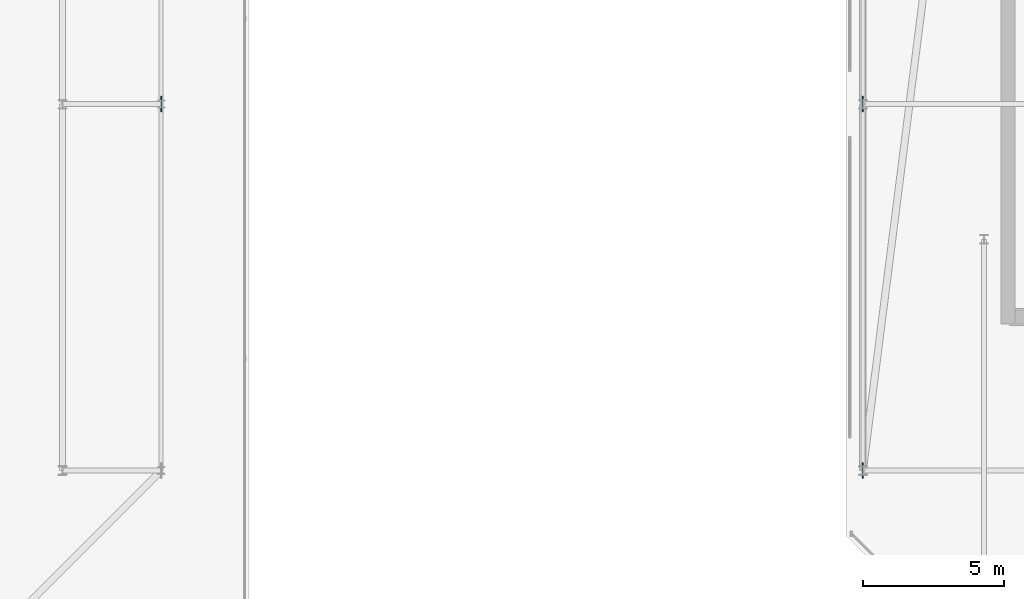
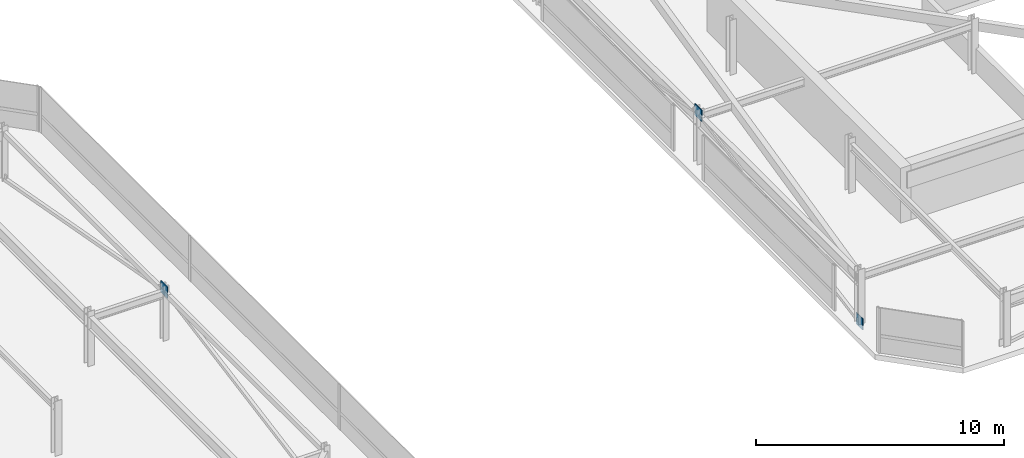
# One storey, part 41 of 44: 3 plates.
"""IFC4 building model written with IfcOpenShell, lengths in metres."""

from ifc_helpers import new_model, si_unit, direction, frame, origin, origin_2d, place, context, subcontext, project, spatial, rectangle, extrude, material, layer, layer_set, type_object, element, save


model = new_model("IFC4")

# Units and contexts
model_context = context("Model", 3, precision=1e-05, world=origin(), true_north=direction((0.0, 1.0)))
body_context = subcontext(model_context, "Body", "Model", "MODEL_VIEW")
ifc_project = project(units=[si_unit("LENGTHUNIT", "METRE"), si_unit("AREAUNIT", "SQUARE_METRE"), si_unit("VOLUMEUNIT", "CUBIC_METRE"), si_unit("PLANEANGLEUNIT", "RADIAN"), si_unit("MASSUNIT", "GRAM", prefix="KILO")], contexts=[model_context])

# Site, building, storey
site_placement = place(None, origin())
site = spatial("IfcSite", under=ifc_project, at=site_placement, CompositionType="ELEMENT")
building_placement = place(site_placement, origin())
building = spatial("IfcBuilding", under=site, at=building_placement, Name="Thornwick Lancets Civic Towers", CompositionType="ELEMENT")
storey_placement = place(building_placement, frame((0.0, 0.0, 294.89990234375)))
storey = spatial("IfcBuildingStorey", under=building, at=storey_placement, Name="C06", CompositionType="ELEMENT", Elevation=294.89990234375)

# Plates
ifc_material = material(Name="Steel S460M", Category="steel")
ifc_layer = layer(ifc_material, 0.0400390625, Name="Steel S460M")
ifc_layer_set = layer_set([ifc_layer], Name="Steel S460M")
plate_type = type_object("IfcPlateType", Name="PLT_GUSSET_40", PredefinedType="USERDEFINED", material=ifc_layer_set)
for number, where, z_axis, x_axis, name in (
    (1, (46.300048828125, 27.0, 2.1650390625), (0.0, 0.0, 1.0), (0.0, 1.0, 0.0), "C06 Brace Connection Gusset Plate 0561"),
    (2, (71.199951171875, 14.0, -0.22509765625), (0.0, 0.0, 1.0), (0.0, 1.0, 0.0), "C06 Brace Connection Gusset Plate 0575"),
    (3, (71.199951171875, 27.0, 2.1650390625), (0.0, 0.0, 1.0), (0.0, 1.0, 0.0), "C06 Brace Connection Gusset Plate 0576"),
):
    element("IfcPlate", number, at=place(storey_placement, frame(where, z_axis=z_axis, x_axis=x_axis)), inside=storey, type_object=plate_type, Name=name, ObjectType="GUSSET_PLATE", PredefinedType="USERDEFINED", context=body_context, shape_type="SweptSolid", body=[
        extrude(rectangle(XDim=0.550048828125, YDim=0.0400390625, at=origin_2d()), origin(), (0.0, 0.0, 1.0), 0.550048828125),
    ])

save(model, "model.ifc")
